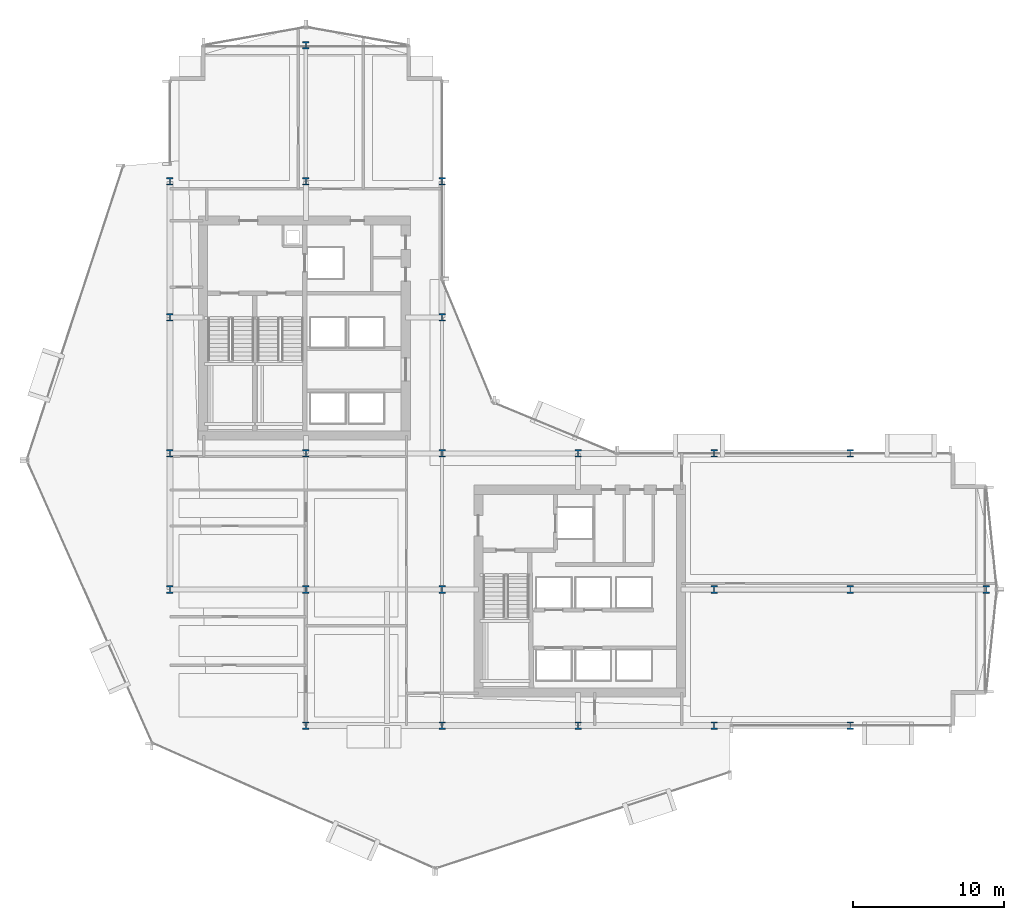
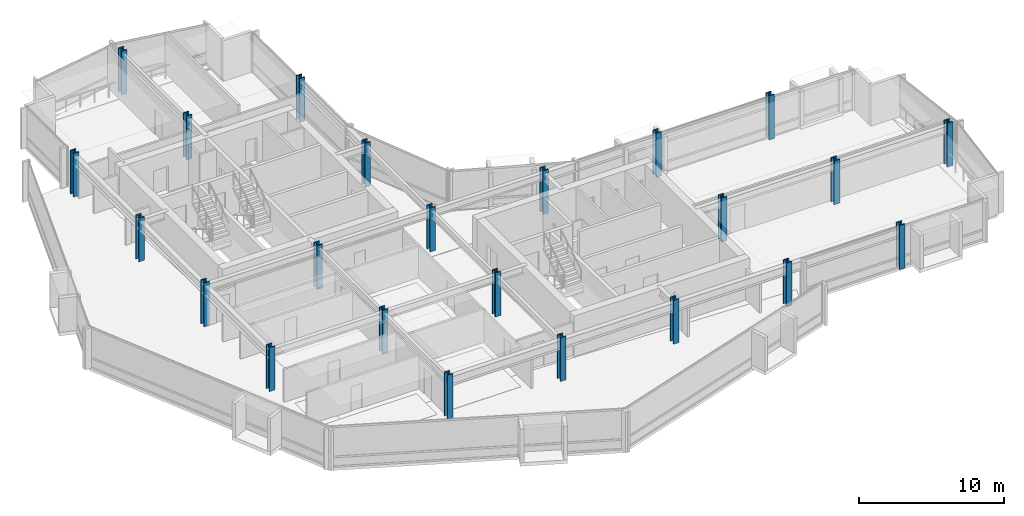
# One storey, part 1 of 34: 23 columns.
"""IFC4 building model written with IfcOpenShell, lengths in metres."""

import ifcopenshell
import ifcopenshell.guid

model = None  # the IFC model being written
_history = None  # IfcOwnerHistory: only IFC2X3 demands one
_inside = {}  # id of a spatial element -> (the spatial element, [elements in it])
_under = {}  # id of a project, library or spatial element -> (it, [spatial elements below it])
_declared = {}  # id of a project -> (the project, [libraries it declares])
_typed = {}  # id of a type object -> (the type object, [elements of that type])
_made_of = {}  # id of a material, layer set ... -> (it, [elements and type objects made of it])


def new_model(schema):
    """Start an empty IFC model of exactly this schema.

    Asked for "IFC4X3", IfcOpenShell would pick the latest addendum, in which some entities
    have other attributes; the version numbers below select the first issue.
    IFC2X3 requires an IfcOwnerHistory on every rooted entity: one is made here for all.
    """
    global model, _history
    if schema == "IFC4X3":
        model = ifcopenshell.file(schema_version=(4, 3, 0, 0))
    else:
        model = ifcopenshell.file(schema=schema)
    _inside.clear()
    _under.clear()
    _declared.clear()
    _typed.clear()
    _made_of.clear()
    _history = None
    if model.schema == "IFC2X3":
        org = make("IfcOrganization", Name="unknown")
        user = make(
            "IfcPersonAndOrganization",
            ThePerson=make("IfcPerson", FamilyName="unknown"),
            TheOrganization=org,
        )
        app = make(
            "IfcApplication",
            ApplicationDeveloper=org,
            Version="unknown",
            ApplicationFullName="unknown",
            ApplicationIdentifier="unknown",
        )
        _history = make(
            "IfcOwnerHistory",
            OwningUser=user,
            OwningApplication=app,
            ChangeAction="ADDED",
            CreationDate=0,
        )
    return model


def make(cls, **values):
    """One entity of the class cls with the attributes given. An attribute that is None is left unset."""
    return model.create_entity(
        cls, **{name: value for name, value in values.items() if value is not None}
    )


def rooted(cls, **values):
    """An entity with a GlobalId (a new one), such as an element, a storey or a relation."""
    return make(cls, GlobalId=ifcopenshell.guid.new(), OwnerHistory=_history, **values)


def si_unit(unit_type, name, prefix=None):
    """IfcSIUnit, for example si_unit("LENGTHUNIT", "METRE", prefix="MILLI")."""
    return make("IfcSIUnit", UnitType=unit_type, Prefix=prefix, Name=name)


def assignment(units):
    """IfcUnitAssignment: the units of a project."""
    return None if units is None else make("IfcUnitAssignment", Units=units)


def point(xyz):
    """IfcCartesianPoint."""
    return None if xyz is None else make("IfcCartesianPoint", Coordinates=xyz)


def direction(xyz):
    """IfcDirection."""
    return None if xyz is None else make("IfcDirection", DirectionRatios=xyz)


def frame(location, z_axis=None, x_axis=None):
    """IfcAxis2Placement3D, a coordinate frame: its origin and axes. An axis left out is left unset."""
    return make(
        "IfcAxis2Placement3D",
        Location=point(location),
        Axis=direction(z_axis),
        RefDirection=direction(x_axis),
    )


def frame_2d(location, x_axis=None):
    """IfcAxis2Placement2D, a coordinate frame in the plane: its origin and x axis."""
    return make(
        "IfcAxis2Placement2D", Location=point(location), RefDirection=direction(x_axis)
    )


def origin():
    """The frame at (0, 0, 0) with its axes left unset."""
    return frame((0.0, 0.0, 0.0))


def origin_2d():
    """The frame at (0, 0) in the plane with its x axis left unset."""
    return frame_2d((0.0, 0.0))


def place(relative_to, where):
    """IfcLocalPlacement: puts the frame where relative to a parent placement (None: the world)."""
    return make(
        "IfcLocalPlacement", PlacementRelTo=relative_to, RelativePlacement=where
    )


def context(
    kind, dimensions, precision=None, world=None, true_north=None, identifier=None
):
    """IfcGeometricRepresentationContext, for example the 3D "Model" context."""
    return make(
        "IfcGeometricRepresentationContext",
        ContextIdentifier=identifier,
        ContextType=kind,
        CoordinateSpaceDimension=dimensions,
        Precision=precision,
        WorldCoordinateSystem=world,
        TrueNorth=true_north,
    )


def subcontext(parent, identifier, kind, view, scale=None):
    """IfcGeometricRepresentationSubContext, for example "Body" below "Model"."""
    return make(
        "IfcGeometricRepresentationSubContext",
        ContextIdentifier=identifier,
        ContextType=kind,
        ParentContext=parent,
        TargetScale=scale,
        TargetView=view,
    )


def project(units=None, contexts=None):
    """IfcProject with its units and contexts."""
    return rooted(
        "IfcProject",
        Name="project",
        RepresentationContexts=contexts,
        UnitsInContext=assignment(units),
    )


def spatial(cls, under=None, at=None, **own):
    """A site, building, storey or space (cls), placed at a placement, below another one or the project."""
    s = rooted(cls, ObjectPlacement=at, **own)
    if under is not None:
        _under.setdefault(under.id(), (under, []))[1].append(s)
    return s


def profile(cls, at=None, kind="AREA", **sizes):
    """A parametric profile (cls). Its sizes go by their IFC names, for example OverallWidth=200.0."""
    return make(cls, ProfileType=kind, Position=at, **sizes)


def i_section(**sizes):
    """IfcIShapeProfileDef."""
    return profile("IfcIShapeProfileDef", **sizes)


def extrude(swept, where, along, depth):
    """IfcExtrudedAreaSolid: the profile swept, set in the frame where, extruded along a direction by depth."""
    return make(
        "IfcExtrudedAreaSolid",
        SweptArea=swept,
        Position=where,
        ExtrudedDirection=direction(along),
        Depth=depth,
    )


def shape(context_of_items, identifier, shape_type, items):
    """IfcShapeRepresentation: the items that make up one representation, for example the "Body"."""
    return make(
        "IfcShapeRepresentation",
        ContextOfItems=context_of_items,
        RepresentationIdentifier=identifier,
        RepresentationType=shape_type,
        Items=items,
    )


def material(Name=None, Category=None):
    """IfcMaterial."""
    return make("IfcMaterial", Name=Name, Category=Category)


def material_profile(
    of_material, cross_section, Name=None, Category=None, Priority=None
):
    """IfcMaterialProfile: a cross section and its material."""
    return make(
        "IfcMaterialProfile",
        Name=Name,
        Material=of_material,
        Profile=cross_section,
        Priority=Priority,
        Category=Category,
    )


def profile_set(profiles, Name=None, composite=None):
    """IfcMaterialProfileSet."""
    return make(
        "IfcMaterialProfileSet",
        Name=Name,
        MaterialProfiles=profiles,
        CompositeProfile=composite,
    )


def made_of(thing, what):
    """Note that an element or type object is made of a material, layer set ...; save() writes the relation."""
    if what is not None:
        _made_of.setdefault(what.id(), (what, []))[1].append(thing)
    return thing


def type_object(cls, material=None, **own):
    """A type object (cls), such as IfcWallType, which elements share."""
    return made_of(rooted(cls, **own), material)


def element(
    cls,
    number,
    at=None,
    inside=None,
    cuts=None,
    type_object=None,
    material=None,
    context=None,
    identifier="Body",
    shape_type=None,
    held_by="IfcProductDefinitionShape",
    body=None,
    shapes=None,
    **own,
):
    """One element of the class cls, such as IfcWall. Its Tag is "e" and its number.

    at: its placement. inside: the storey or other place that contains it. cuts: it is an
    opening in that element (IfcRelVoidsElement). A single representation is given by context,
    identifier, shape_type and body (its items); several are given by shapes. held_by: the class
    of the entity that holds the representations. save() writes the other relations.
    """
    e = rooted(cls, Tag="e%d" % number, ObjectPlacement=at, **own)
    if body is not None:
        shapes = [shape(context, identifier, shape_type, body)]
    if shapes is not None:
        e.Representation = make(held_by, Representations=shapes)
    if inside is not None:
        _inside.setdefault(inside.id(), (inside, []))[1].append(e)
    if cuts is not None:
        rooted(
            "IfcRelVoidsElement", RelatingBuildingElement=cuts, RelatedOpeningElement=e
        )
    if type_object is not None:
        _typed.setdefault(type_object.id(), (type_object, []))[1].append(e)
    return made_of(e, material)


def aggregate(whole, parts):
    """IfcRelAggregates: a whole, such as a stair, and the parts it consists of."""
    return rooted("IfcRelAggregates", RelatingObject=whole, RelatedObjects=parts)


def save(model, path):
    """Write the relations noted so far, then the file.

    IfcRelAggregates (storeys below a building ...), IfcRelContainedInSpatialStructure (elements
    in a storey), IfcRelDefinesByType, IfcRelAssociatesMaterial and IfcRelDeclares: one each for
    every whole, place, type object, material and project.
    """
    for whole, parts in _under.values():
        aggregate(whole, parts)
    for where, things in _inside.values():
        rooted(
            "IfcRelContainedInSpatialStructure",
            RelatedElements=things,
            RelatingStructure=where,
        )
    for kind, things in _typed.values():
        rooted("IfcRelDefinesByType", RelatedObjects=things, RelatingType=kind)
    for what, things in _made_of.values():
        rooted("IfcRelAssociatesMaterial", RelatedObjects=things, RelatingMaterial=what)
    for by, libraries in _declared.values():
        rooted("IfcRelDeclares", RelatingContext=by, RelatedDefinitions=libraries)
    model.write(path)


model = new_model("IFC4")

# Units and contexts
model_context = context("Model", 3, precision=1e-05, world=origin(), true_north=direction((0.0, 1.0)))
body_context = subcontext(model_context, "Body", "Model", "MODEL_VIEW")
ifc_project = project(units=[si_unit("LENGTHUNIT", "METRE"), si_unit("AREAUNIT", "SQUARE_METRE"), si_unit("VOLUMEUNIT", "CUBIC_METRE"), si_unit("PLANEANGLEUNIT", "RADIAN"), si_unit("MASSUNIT", "GRAM", prefix="KILO")], contexts=[model_context])

# Site, building, storey
site_placement = place(None, origin())
site = spatial("IfcSite", under=ifc_project, at=site_placement, CompositionType="ELEMENT")
building_placement = place(site_placement, origin())
building = spatial("IfcBuilding", under=site, at=building_placement, Name="Solvaryn Broadcast Tower", CompositionType="ELEMENT")
storey_placement = place(building_placement, frame((0.0, 0.0, 65.60009765625)))
storey = spatial("IfcBuildingStorey", under=building, at=storey_placement, Name="L15", CompositionType="ELEMENT", Elevation=65.60009765625)

# Columns
ifc_material_1 = material(Name="Steel ASTM A913 Grade 65", Category="steel")
ifc_material_profile_1 = material_profile(ifc_material_1, i_section(OverallWidth=0.431884765625, OverallDepth=0.498046875, WebThickness=0.0556640625, FlangeThickness=0.0888671875, FilletRadius=0.014892578125, at=origin_2d()))
ifc_profile_set_1 = profile_set([ifc_material_profile_1], Name="Steel ASTM A913 Grade 65")
column_type_1 = type_object("IfcColumnType", Name="COL-C03E-W14X500", PredefinedType="COLUMN", material=ifc_profile_set_1)
for number, where, z_axis, x_axis, name in (
    (1, (9.0, 18.0, 0.0), (0.0, 0.0, 1.0), (1.0, 0.0, 0.0), "L15 Column (9.0, 18.0)"),
    (2, (9.0, 27.0, 0.0), (0.0, 0.0, 1.0), (1.0, 0.0, 0.0), "L15 Column (9.0, 27.0)"),
    (3, (9.0, 36.0, 0.0), (0.0, 0.0, 1.0), (1.0, 0.0, 0.0), "L15 Column (9.0, 36.0)"),
    (4, (9.0, 45.0, 0.0), (0.0, 0.0, 1.0), (1.0, 0.0, 0.0), "L15 Column (9.0, 45.0)"),
    (5, (18.0, 9.0, 0.0), (0.0, 0.0, 1.0), (1.0, 0.0, 0.0), "L15 Column (18.0, 9.0)"),
    (6, (18.0, 54.0, 0.0), (0.0, 0.0, 1.0), (1.0, 0.0, 0.0), "L15 Column (18.0, 54.0)"),
    (7, (27.0, 9.0, 0.0), (0.0, 0.0, 1.0), (1.0, 0.0, 0.0), "L15 Column (27.0, 9.0)"),
    (8, (27.0, 36.0, 0.0), (0.0, 0.0, 1.0), (1.0, 0.0, 0.0), "L15 Column (27.0, 36.0)"),
    (9, (27.0, 45.0, 0.0), (0.0, 0.0, 1.0), (1.0, 0.0, 0.0), "L15 Column (27.0, 45.0)"),
    (10, (36.0, 9.0, 0.0), (0.0, 0.0, 1.0), (1.0, 0.0, 0.0), "L15 Column (36.0, 9.0)"),
    (11, (36.0, 27.0, 0.0), (0.0, 0.0, 1.0), (1.0, 0.0, 0.0), "L15 Column (36.0, 27.0)"),
    (12, (45.0, 9.0, 0.0), (0.0, 0.0, 1.0), (1.0, 0.0, 0.0), "L15 Column (45.0, 9.0)"),
    (13, (45.0, 27.0, 0.0), (0.0, 0.0, 1.0), (1.0, 0.0, 0.0), "L15 Column (45.0, 27.0)"),
    (14, (54.0, 9.0, 0.0), (0.0, 0.0, 1.0), (1.0, 0.0, 0.0), "L15 Column (54.0, 9.0)"),
    (15, (54.0, 27.0, 0.0), (0.0, 0.0, 1.0), (1.0, 0.0, 0.0), "L15 Column (54.0, 27.0)"),
    (16, (63.0, 18.0, 0.0), (0.0, 0.0, 1.0), (1.0, 0.0, 0.0), "L15 Column (63.0, 18.0)"),
):
    element("IfcColumn", number, at=place(storey_placement, frame(where, z_axis=z_axis, x_axis=x_axis)), inside=storey, type_object=column_type_1, Name=name, PredefinedType="COLUMN", context=body_context, shape_type="SweptSolid", body=[
        extrude(i_section(OverallWidth=0.431884765625, OverallDepth=0.498046875, WebThickness=0.0556640625, FlangeThickness=0.0888671875, FilletRadius=0.014892578125, at=origin_2d()), origin(), (0.0, 0.0, 1.0), 3.699951171875),
    ])
ifc_material_2 = material(Name="Steel ASTM A913 Grade 65", Category="steel")
ifc_material_profile_2 = material_profile(ifc_material_2, i_section(OverallWidth=0.431884765625, OverallDepth=0.498046875, WebThickness=0.0556640625, FlangeThickness=0.0888671875, FilletRadius=0.014892578125, at=origin_2d()))
ifc_profile_set_2 = profile_set([ifc_material_profile_2], Name="Steel ASTM A913 Grade 65")
column_type_2 = type_object("IfcColumnType", Name="COL-C03I-W14X500", PredefinedType="COLUMN", material=ifc_profile_set_2)
for number, where, z_axis, x_axis, name in (
    (17, (18.0, 18.0, 0.0), (0.0, 0.0, 1.0), (1.0, 0.0, 0.0), "L15 Column (18.0, 18.0)"),
    (18, (18.0, 27.0, 0.0), (0.0, 0.0, 1.0), (1.0, 0.0, 0.0), "L15 Column (18.0, 27.0)"),
    (19, (18.0, 45.0, 0.0), (0.0, 0.0, 1.0), (1.0, 0.0, 0.0), "L15 Column (18.0, 45.0)"),
    (20, (27.0, 18.0, 0.0), (0.0, 0.0, 1.0), (1.0, 0.0, 0.0), "L15 Column (27.0, 18.0)"),
    (21, (27.0, 27.0, 0.0), (0.0, 0.0, 1.0), (1.0, 0.0, 0.0), "L15 Column (27.0, 27.0)"),
    (22, (45.0, 18.0, 0.0), (0.0, 0.0, 1.0), (1.0, 0.0, 0.0), "L15 Column (45.0, 18.0)"),
    (23, (54.0, 18.0, 0.0), (0.0, 0.0, 1.0), (1.0, 0.0, 0.0), "L15 Column (54.0, 18.0)"),
):
    element("IfcColumn", number, at=place(storey_placement, frame(where, z_axis=z_axis, x_axis=x_axis)), inside=storey, type_object=column_type_2, Name=name, PredefinedType="COLUMN", context=body_context, shape_type="SweptSolid", body=[
        extrude(i_section(OverallWidth=0.431884765625, OverallDepth=0.498046875, WebThickness=0.0556640625, FlangeThickness=0.0888671875, FilletRadius=0.014892578125, at=origin_2d()), origin(), (0.0, 0.0, 1.0), 3.699951171875),
    ])

save(model, "model.ifc")
